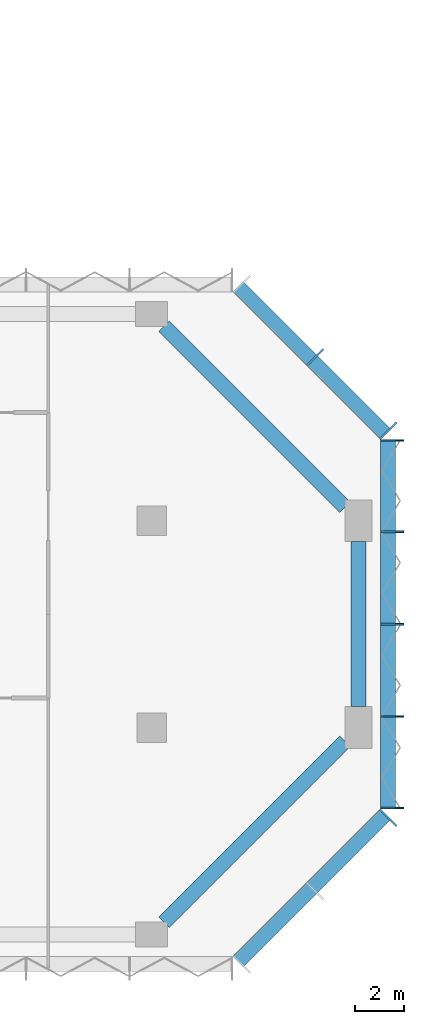
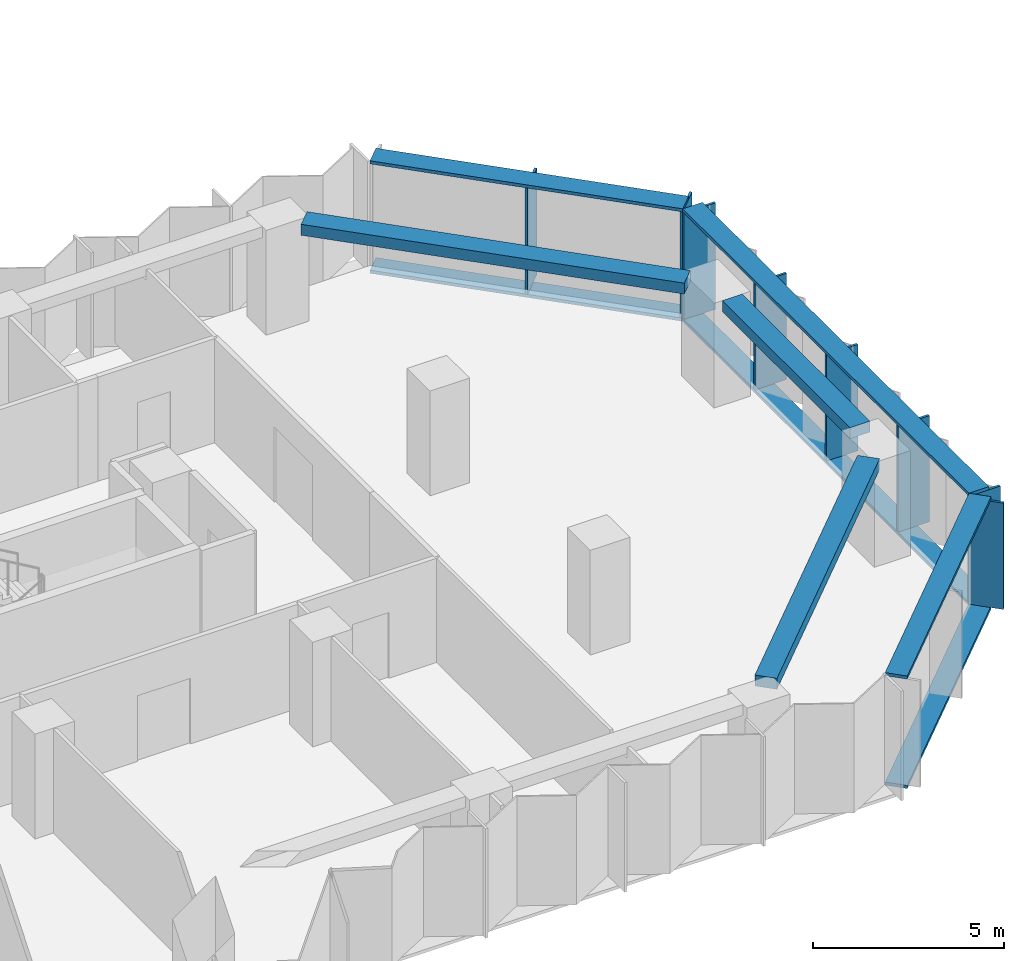
# One storey, part 4 of 13: 14 members, 3 beams, 3 elements without a shape of their own.
"""IFC4 building model written with IfcOpenShell, lengths in metres."""

import ifcopenshell
import ifcopenshell.guid

model = None  # the IFC model being written
_history = None  # IfcOwnerHistory: only IFC2X3 demands one
_inside = {}  # id of a spatial element -> (the spatial element, [elements in it])
_under = {}  # id of a project, library or spatial element -> (it, [spatial elements below it])
_declared = {}  # id of a project -> (the project, [libraries it declares])
_typed = {}  # id of a type object -> (the type object, [elements of that type])
_made_of = {}  # id of a material, layer set ... -> (it, [elements and type objects made of it])


def new_model(schema):
    """Start an empty IFC model of exactly this schema.

    Asked for "IFC4X3", IfcOpenShell would pick the latest addendum, in which some entities
    have other attributes; the version numbers below select the first issue.
    IFC2X3 requires an IfcOwnerHistory on every rooted entity: one is made here for all.
    """
    global model, _history
    if schema == "IFC4X3":
        model = ifcopenshell.file(schema_version=(4, 3, 0, 0))
    else:
        model = ifcopenshell.file(schema=schema)
    _inside.clear()
    _under.clear()
    _declared.clear()
    _typed.clear()
    _made_of.clear()
    _history = None
    if model.schema == "IFC2X3":
        org = make("IfcOrganization", Name="unknown")
        user = make(
            "IfcPersonAndOrganization",
            ThePerson=make("IfcPerson", FamilyName="unknown"),
            TheOrganization=org,
        )
        app = make(
            "IfcApplication",
            ApplicationDeveloper=org,
            Version="unknown",
            ApplicationFullName="unknown",
            ApplicationIdentifier="unknown",
        )
        _history = make(
            "IfcOwnerHistory",
            OwningUser=user,
            OwningApplication=app,
            ChangeAction="ADDED",
            CreationDate=0,
        )
    return model


def make(cls, **values):
    """One entity of the class cls with the attributes given. An attribute that is None is left unset."""
    return model.create_entity(
        cls, **{name: value for name, value in values.items() if value is not None}
    )


def rooted(cls, **values):
    """An entity with a GlobalId (a new one), such as an element, a storey or a relation."""
    return make(cls, GlobalId=ifcopenshell.guid.new(), OwnerHistory=_history, **values)


def si_unit(unit_type, name, prefix=None):
    """IfcSIUnit, for example si_unit("LENGTHUNIT", "METRE", prefix="MILLI")."""
    return make("IfcSIUnit", UnitType=unit_type, Prefix=prefix, Name=name)


def assignment(units):
    """IfcUnitAssignment: the units of a project."""
    return None if units is None else make("IfcUnitAssignment", Units=units)


def point(xyz):
    """IfcCartesianPoint."""
    return None if xyz is None else make("IfcCartesianPoint", Coordinates=xyz)


def direction(xyz):
    """IfcDirection."""
    return None if xyz is None else make("IfcDirection", DirectionRatios=xyz)


def frame(location, z_axis=None, x_axis=None):
    """IfcAxis2Placement3D, a coordinate frame: its origin and axes. An axis left out is left unset."""
    return make(
        "IfcAxis2Placement3D",
        Location=point(location),
        Axis=direction(z_axis),
        RefDirection=direction(x_axis),
    )


def frame_2d(location, x_axis=None):
    """IfcAxis2Placement2D, a coordinate frame in the plane: its origin and x axis."""
    return make(
        "IfcAxis2Placement2D", Location=point(location), RefDirection=direction(x_axis)
    )


def origin():
    """The frame at (0, 0, 0) with its axes left unset."""
    return frame((0.0, 0.0, 0.0))


def origin_2d():
    """The frame at (0, 0) in the plane with its x axis left unset."""
    return frame_2d((0.0, 0.0))


def place(relative_to, where):
    """IfcLocalPlacement: puts the frame where relative to a parent placement (None: the world)."""
    return make(
        "IfcLocalPlacement", PlacementRelTo=relative_to, RelativePlacement=where
    )


def context(
    kind, dimensions, precision=None, world=None, true_north=None, identifier=None
):
    """IfcGeometricRepresentationContext, for example the 3D "Model" context."""
    return make(
        "IfcGeometricRepresentationContext",
        ContextIdentifier=identifier,
        ContextType=kind,
        CoordinateSpaceDimension=dimensions,
        Precision=precision,
        WorldCoordinateSystem=world,
        TrueNorth=true_north,
    )


def subcontext(parent, identifier, kind, view, scale=None):
    """IfcGeometricRepresentationSubContext, for example "Body" below "Model"."""
    return make(
        "IfcGeometricRepresentationSubContext",
        ContextIdentifier=identifier,
        ContextType=kind,
        ParentContext=parent,
        TargetScale=scale,
        TargetView=view,
    )


def project(units=None, contexts=None):
    """IfcProject with its units and contexts."""
    return rooted(
        "IfcProject",
        Name="project",
        RepresentationContexts=contexts,
        UnitsInContext=assignment(units),
    )


def spatial(cls, under=None, at=None, **own):
    """A site, building, storey or space (cls), placed at a placement, below another one or the project."""
    s = rooted(cls, ObjectPlacement=at, **own)
    if under is not None:
        _under.setdefault(under.id(), (under, []))[1].append(s)
    return s


def profile(cls, at=None, kind="AREA", **sizes):
    """A parametric profile (cls). Its sizes go by their IFC names, for example OverallWidth=200.0."""
    return make(cls, ProfileType=kind, Position=at, **sizes)


def rectangle(**sizes):
    """IfcRectangleProfileDef."""
    return profile("IfcRectangleProfileDef", **sizes)


def extrude(swept, where, along, depth):
    """IfcExtrudedAreaSolid: the profile swept, set in the frame where, extruded along a direction by depth."""
    return make(
        "IfcExtrudedAreaSolid",
        SweptArea=swept,
        Position=where,
        ExtrudedDirection=direction(along),
        Depth=depth,
    )


def shape(context_of_items, identifier, shape_type, items):
    """IfcShapeRepresentation: the items that make up one representation, for example the "Body"."""
    return make(
        "IfcShapeRepresentation",
        ContextOfItems=context_of_items,
        RepresentationIdentifier=identifier,
        RepresentationType=shape_type,
        Items=items,
    )


def material(Name=None, Category=None):
    """IfcMaterial."""
    return make("IfcMaterial", Name=Name, Category=Category)


def material_profile(
    of_material, cross_section, Name=None, Category=None, Priority=None
):
    """IfcMaterialProfile: a cross section and its material."""
    return make(
        "IfcMaterialProfile",
        Name=Name,
        Material=of_material,
        Profile=cross_section,
        Priority=Priority,
        Category=Category,
    )


def profile_set(profiles, Name=None, composite=None):
    """IfcMaterialProfileSet."""
    return make(
        "IfcMaterialProfileSet",
        Name=Name,
        MaterialProfiles=profiles,
        CompositeProfile=composite,
    )


def made_of(thing, what):
    """Note that an element or type object is made of a material, layer set ...; save() writes the relation."""
    if what is not None:
        _made_of.setdefault(what.id(), (what, []))[1].append(thing)
    return thing


def type_object(cls, material=None, **own):
    """A type object (cls), such as IfcWallType, which elements share."""
    return made_of(rooted(cls, **own), material)


def element(
    cls,
    number,
    at=None,
    inside=None,
    cuts=None,
    type_object=None,
    material=None,
    context=None,
    identifier="Body",
    shape_type=None,
    held_by="IfcProductDefinitionShape",
    body=None,
    shapes=None,
    **own,
):
    """One element of the class cls, such as IfcWall. Its Tag is "e" and its number.

    at: its placement. inside: the storey or other place that contains it. cuts: it is an
    opening in that element (IfcRelVoidsElement). A single representation is given by context,
    identifier, shape_type and body (its items); several are given by shapes. held_by: the class
    of the entity that holds the representations. save() writes the other relations.
    """
    e = rooted(cls, Tag="e%d" % number, ObjectPlacement=at, **own)
    if body is not None:
        shapes = [shape(context, identifier, shape_type, body)]
    if shapes is not None:
        e.Representation = make(held_by, Representations=shapes)
    if inside is not None:
        _inside.setdefault(inside.id(), (inside, []))[1].append(e)
    if cuts is not None:
        rooted(
            "IfcRelVoidsElement", RelatingBuildingElement=cuts, RelatedOpeningElement=e
        )
    if type_object is not None:
        _typed.setdefault(type_object.id(), (type_object, []))[1].append(e)
    return made_of(e, material)


def aggregate(whole, parts):
    """IfcRelAggregates: a whole, such as a stair, and the parts it consists of."""
    return rooted("IfcRelAggregates", RelatingObject=whole, RelatedObjects=parts)


def save(model, path):
    """Write the relations noted so far, then the file.

    IfcRelAggregates (storeys below a building ...), IfcRelContainedInSpatialStructure (elements
    in a storey), IfcRelDefinesByType, IfcRelAssociatesMaterial and IfcRelDeclares: one each for
    every whole, place, type object, material and project.
    """
    for whole, parts in _under.values():
        aggregate(whole, parts)
    for where, things in _inside.values():
        rooted(
            "IfcRelContainedInSpatialStructure",
            RelatedElements=things,
            RelatingStructure=where,
        )
    for kind, things in _typed.values():
        rooted("IfcRelDefinesByType", RelatedObjects=things, RelatingType=kind)
    for what, things in _made_of.values():
        rooted("IfcRelAssociatesMaterial", RelatedObjects=things, RelatingMaterial=what)
    for by, libraries in _declared.values():
        rooted("IfcRelDeclares", RelatingContext=by, RelatedDefinitions=libraries)
    model.write(path)


model = new_model("IFC4")

# Units and contexts
model_context = context("Model", 3, precision=1e-05, world=origin(), true_north=direction((0.0, 1.0)))
body_context = subcontext(model_context, "Body", "Model", "MODEL_VIEW")
ifc_project = project(units=[si_unit("LENGTHUNIT", "METRE"), si_unit("AREAUNIT", "SQUARE_METRE"), si_unit("VOLUMEUNIT", "CUBIC_METRE"), si_unit("PLANEANGLEUNIT", "RADIAN"), si_unit("MASSUNIT", "GRAM", prefix="KILO")], contexts=[model_context])

# Site, building, storey
site_placement = place(None, origin())
site = spatial("IfcSite", under=ifc_project, at=site_placement, CompositionType="ELEMENT")
building_placement = place(site_placement, origin())
building = spatial("IfcBuilding", under=site, at=building_placement, Name="Brevane Broadcast Tower", CompositionType="ELEMENT")
storey_placement = place(building_placement, frame((0.0, 0.0, 131.300048828125)))
storey = spatial("IfcBuildingStorey", under=building, at=storey_placement, Name="L32", CompositionType="ELEMENT", Elevation=131.300048828125)

# Curtain wall, member
ifc_material_1 = material(Name="Aluminium 6063-T6 bronze anodised", Category="aluminium")
curtain_wall_type = type_object("IfcCurtainWallType", Name="CW-1 curtain wall", PredefinedType="NOTDEFINED", material=ifc_material_1)
curtain_wall_1_placement = place(storey_placement, origin())
curtain_wall_1 = element("IfcCurtainWall", 1, at=curtain_wall_1_placement, inside=storey, type_object=curtain_wall_type, Name="CW-1 typical tilted unit L32 south-east chamfer", PredefinedType="NOTDEFINED")
ifc_material_profile_1 = material_profile(ifc_material_1, rectangle(XDim=0.949951171875, YDim=0.070068359375, at=origin_2d()), Name="RECT 70x950")
ifc_profile_set_1 = profile_set([ifc_material_profile_1], Name="Aluminium 6063-T6 bronze anodised")
member_type_1 = type_object("IfcMemberType", Name="CW-1 mullion 70x950", PredefinedType="MULLION", material=ifc_profile_set_1)
member_1_placement = place(storey_placement, frame((68.4111328125, 4.7392578125, -0.150146484375), z_axis=(0.0, 0.0, 1.0), x_axis=(-0.707106781187, 0.707106781187, 0.0)))
member_1 = element("IfcMember", 2, at=member_1_placement, type_object=member_type_1, Name="CW-1 mullion", PredefinedType="MULLION", context=body_context, shape_type="SweptSolid", body=[
    extrude(rectangle(XDim=0.949951171875, YDim=0.070068359375, at=origin_2d()), origin(), (0.0, 0.0, 1.0), 3.400146484375),
])

# Curtain wall, members
curtain_wall_2_placement = place(storey_placement, origin())
curtain_wall_2 = element("IfcCurtainWall", 3, at=curtain_wall_2_placement, inside=storey, type_object=curtain_wall_type, Name="CW-1 typical tilted unit L32 east end", PredefinedType="NOTDEFINED")
member_2_placement = place(storey_placement, frame((68.574951171875, 5.135009765625, -0.150146484375), z_axis=(0.0, 0.0, 1.0), x_axis=(-1.0, 0.0, 0.0)))
member_2 = element("IfcMember", 4, at=member_2_placement, type_object=member_type_1, Name="CW-1 mullion", PredefinedType="MULLION", context=body_context, shape_type="SweptSolid", body=[
    extrude(rectangle(XDim=0.949951171875, YDim=0.070068359375, at=origin_2d()), origin(), (0.0, 0.0, 1.0), 3.400146484375),
])
member_3_placement = place(storey_placement, frame((68.574951171875, 8.85009765625, -0.150146484375), z_axis=(0.0, 0.0, 1.0), x_axis=(-1.0, 0.0, 0.0)))
member_3 = element("IfcMember", 5, at=member_3_placement, type_object=member_type_1, Name="CW-1 mullion", PredefinedType="MULLION", context=body_context, shape_type="SweptSolid", body=[
    extrude(rectangle(XDim=0.949951171875, YDim=0.070068359375, at=origin_2d()), origin(), (0.0, 0.0, 1.0), 3.400146484375),
])
member_4_placement = place(storey_placement, frame((68.574951171875, 12.60009765625, -0.150146484375), z_axis=(0.0, 0.0, 1.0), x_axis=(-1.0, 0.0, 0.0)))
member_4 = element("IfcMember", 6, at=member_4_placement, type_object=member_type_1, Name="CW-1 mullion", PredefinedType="MULLION", context=body_context, shape_type="SweptSolid", body=[
    extrude(rectangle(XDim=0.949951171875, YDim=0.070068359375, at=origin_2d()), origin(), (0.0, 0.0, 1.0), 3.400146484375),
])
member_5_placement = place(storey_placement, frame((68.574951171875, 16.35009765625, -0.150146484375), z_axis=(0.0, 0.0, 1.0), x_axis=(-1.0, 0.0, 0.0)))
member_5 = element("IfcMember", 7, at=member_5_placement, type_object=member_type_1, Name="CW-1 mullion", PredefinedType="MULLION", context=body_context, shape_type="SweptSolid", body=[
    extrude(rectangle(XDim=0.949951171875, YDim=0.070068359375, at=origin_2d()), origin(), (0.0, 0.0, 1.0), 3.400146484375),
])
member_6_placement = place(storey_placement, frame((68.574951171875, 20.06494140625, -0.150146484375), z_axis=(0.0, 0.0, 1.0), x_axis=(-1.0, 0.0, 0.0)))
member_6 = element("IfcMember", 8, at=member_6_placement, type_object=member_type_1, Name="CW-1 mullion", PredefinedType="MULLION", context=body_context, shape_type="SweptSolid", body=[
    extrude(rectangle(XDim=0.949951171875, YDim=0.070068359375, at=origin_2d()), origin(), (0.0, 0.0, 1.0), 3.400146484375),
])

curtain_wall_3_placement = place(storey_placement, origin())
curtain_wall_3 = element("IfcCurtainWall", 9, at=curtain_wall_3_placement, inside=storey, type_object=curtain_wall_type, Name="CW-1 typical tilted unit L32 north-east chamfer", PredefinedType="NOTDEFINED")
member_7_placement = place(storey_placement, frame((68.4111328125, 20.460693359375, -0.150146484375), z_axis=(0.0, 0.0, 1.0), x_axis=(-0.707106781187, -0.707106781187, 0.0)))
member_7 = element("IfcMember", 10, at=member_7_placement, type_object=member_type_1, Name="CW-1 mullion", PredefinedType="MULLION", context=body_context, shape_type="SweptSolid", body=[
    extrude(rectangle(XDim=0.949951171875, YDim=0.070068359375, at=origin_2d()), origin(), (0.0, 0.0, 1.0), 3.400146484375),
])
member_8_placement = place(storey_placement, frame((65.435791015625, 23.435791015625, -0.150146484375), z_axis=(0.0, 0.0, 1.0), x_axis=(-0.707106781187, -0.707106781187, 0.0)))
member_8 = element("IfcMember", 11, at=member_8_placement, type_object=member_type_1, Name="CW-1 mullion", PredefinedType="MULLION", context=body_context, shape_type="SweptSolid", body=[
    extrude(rectangle(XDim=0.949951171875, YDim=0.070068359375, at=origin_2d()), origin(), (0.0, 0.0, 1.0), 3.400146484375),
])

# Member
ifc_material_profile_2 = material_profile(ifc_material_1, rectangle(XDim=0.60009765625, YDim=0.10009765625, at=origin_2d()), Name="RECT 100x600")
ifc_profile_set_2 = profile_set([ifc_material_profile_2], Name="Aluminium 6063-T6 bronze anodised")
member_type_2 = type_object("IfcMemberType", Name="CW-1 transom 100x600", PredefinedType="USERDEFINED", material=ifc_profile_set_2)
member_9_placement = place(storey_placement, frame((62.31201171875, -1.112060546875, -0.199951171875), z_axis=(0.707106781187, 0.707106781187, 0.0), x_axis=(-0.707106781187, 0.707106781187, 0.0)))
member_9 = element("IfcMember", 12, at=member_9_placement, type_object=member_type_2, Name="CW-1 transom", ObjectType="TRANSOM", PredefinedType="USERDEFINED", context=body_context, shape_type="SweptSolid", body=[
    extrude(rectangle(XDim=0.60009765625, YDim=0.10009765625, at=origin_2d()), origin(), (0.0, 0.0, 1.0), 8.4853515625),
])

member_10_placement = place(storey_placement, frame((62.31201171875, -1.112060546875, 3.300048828125), z_axis=(0.707106781187, 0.707106781187, 0.0), x_axis=(-0.707106781187, 0.707106781187, 0.0)))
member_10 = element("IfcMember", 13, at=member_10_placement, type_object=member_type_2, Name="CW-1 transom", ObjectType="TRANSOM", PredefinedType="USERDEFINED", context=body_context, shape_type="SweptSolid", body=[
    extrude(rectangle(XDim=0.60009765625, YDim=0.10009765625, at=origin_2d()), origin(), (0.0, 0.0, 1.0), 8.4853515625),
])

aggregate(curtain_wall_1, [member_1, member_9, member_10])

member_11_placement = place(storey_placement, frame((68.39990234375, 5.10009765625, -0.199951171875), z_axis=(0.0, 1.0, 0.0), x_axis=(-1.0, 0.0, 0.0)))
member_11 = element("IfcMember", 14, at=member_11_placement, type_object=member_type_2, Name="CW-1 transom", ObjectType="TRANSOM", PredefinedType="USERDEFINED", context=body_context, shape_type="SweptSolid", body=[
    extrude(rectangle(XDim=0.60009765625, YDim=0.10009765625, at=origin_2d()), origin(), (0.0, 0.0, 1.0), 15.0),
])

member_12_placement = place(storey_placement, frame((68.39990234375, 5.10009765625, 3.300048828125), z_axis=(0.0, 1.0, 0.0), x_axis=(-1.0, 0.0, 0.0)))
member_12 = element("IfcMember", 15, at=member_12_placement, type_object=member_type_2, Name="CW-1 transom", ObjectType="TRANSOM", PredefinedType="USERDEFINED", context=body_context, shape_type="SweptSolid", body=[
    extrude(rectangle(XDim=0.60009765625, YDim=0.10009765625, at=origin_2d()), origin(), (0.0, 0.0, 1.0), 15.0),
])

aggregate(curtain_wall_2, [member_2, member_3, member_4, member_5, member_6, member_11, member_12])

member_13_placement = place(storey_placement, frame((68.31201171875, 20.31201171875, -0.199951171875), z_axis=(-0.707106781187, 0.707106781187, 0.0), x_axis=(-0.707106781187, -0.707106781187, 0.0)))
member_13 = element("IfcMember", 16, at=member_13_placement, type_object=member_type_2, Name="CW-1 transom", ObjectType="TRANSOM", PredefinedType="USERDEFINED", context=body_context, shape_type="SweptSolid", body=[
    extrude(rectangle(XDim=0.60009765625, YDim=0.10009765625, at=origin_2d()), origin(), (0.0, 0.0, 1.0), 8.4853515625),
])

member_14_placement = place(storey_placement, frame((68.31201171875, 20.31201171875, 3.300048828125), z_axis=(-0.707106781187, 0.707106781187, 0.0), x_axis=(-0.707106781187, -0.707106781187, 0.0)))
member_14 = element("IfcMember", 17, at=member_14_placement, type_object=member_type_2, Name="CW-1 transom", ObjectType="TRANSOM", PredefinedType="USERDEFINED", context=body_context, shape_type="SweptSolid", body=[
    extrude(rectangle(XDim=0.60009765625, YDim=0.10009765625, at=origin_2d()), origin(), (0.0, 0.0, 1.0), 8.4853515625),
])

aggregate(curtain_wall_3, [member_7, member_8, member_13, member_14])

# Beams
ifc_material_2 = material(Name="Concrete C40/50", Category="concrete")
ifc_material_profile_3 = material_profile(ifc_material_2, rectangle(XDim=0.60009765625, YDim=0.35009765625, at=origin_2d()), Name="RC 600x350")
ifc_profile_set_3 = profile_set([ifc_material_profile_3], Name="Concrete C40/50")
beam_type = type_object("IfcBeamType", Name="RC SPANDREL BEAM 600x350 C40/50", PredefinedType="SPANDREL", material=ifc_profile_set_3)
beam_1_placement = place(storey_placement, frame((59.300048828125, 0.5, 3.175048828125), z_axis=(0.707095037275, 0.707118524903, 0.0), x_axis=(-0.707118524903, 0.707095037275, 0.0)))
element("IfcBeam", 18, at=beam_1_placement, inside=storey, type_object=beam_type, Name="EB1 L32-5", PredefinedType="SPANDREL", context=body_context, shape_type="SweptSolid", body=[
    extrude(rectangle(XDim=0.60009765625, YDim=0.35009765625, at=origin_2d()), origin(), (0.0, 0.0, 1.0), 10.39453125),
])
beam_2_placement = place(storey_placement, frame((67.199951171875, 9.25, 3.175048828125), z_axis=(0.0, 1.0, 0.0), x_axis=(-1.0, 0.0, 0.0)))
element("IfcBeam", 19, at=beam_2_placement, inside=storey, type_object=beam_type, Name="EB1 L32-6", PredefinedType="SPANDREL", context=body_context, shape_type="SweptSolid", body=[
    extrude(rectangle(XDim=0.60009765625, YDim=0.35009765625, at=origin_2d()), origin(), (0.0, 0.0, 1.0), 6.699951171875),
])
beam_3_placement = place(storey_placement, frame((66.64990234375, 17.35009765625, 3.175048828125), z_axis=(-0.707106781187, 0.707106781187, 0.0), x_axis=(-0.707106781187, -0.707106781187, 0.0)))
element("IfcBeam", 20, at=beam_3_placement, inside=storey, type_object=beam_type, Name="EB1 L32-7", PredefinedType="SPANDREL", context=body_context, shape_type="SweptSolid", body=[
    extrude(rectangle(XDim=0.60009765625, YDim=0.35009765625, at=origin_2d()), origin(), (0.0, 0.0, 1.0), 10.394287109375),
])

save(model, "model.ifc")
